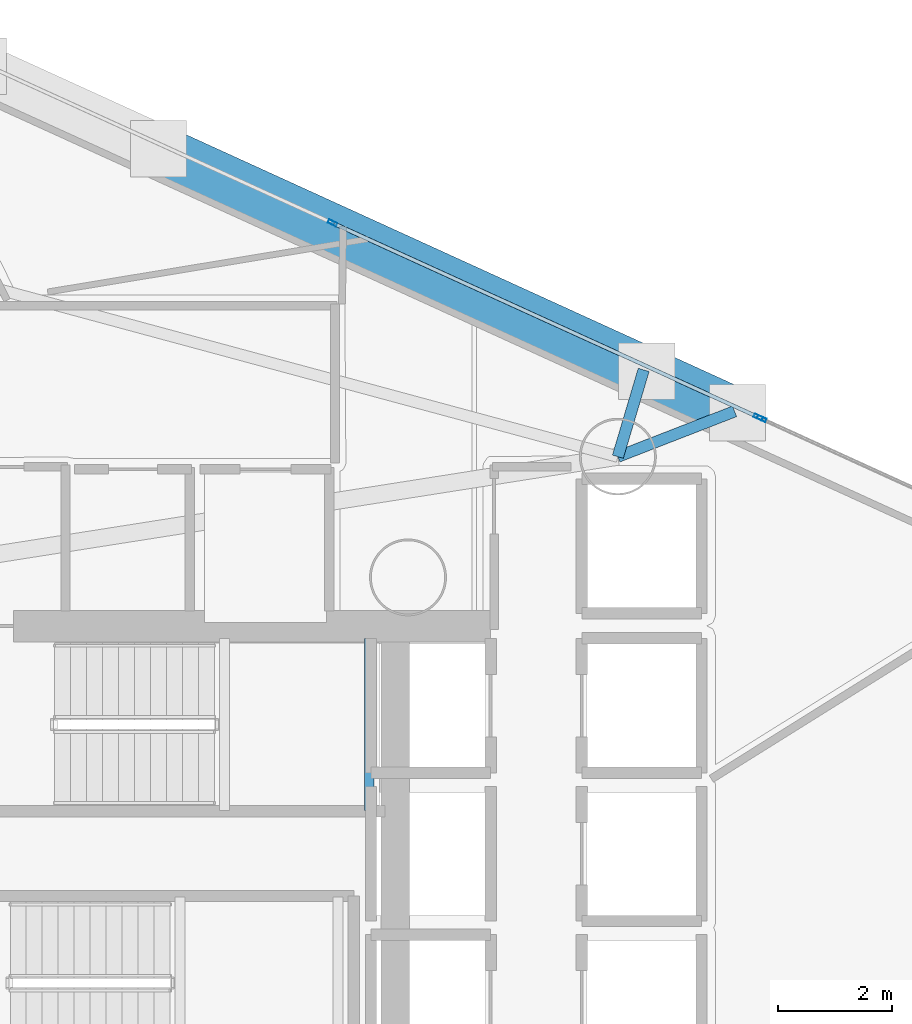
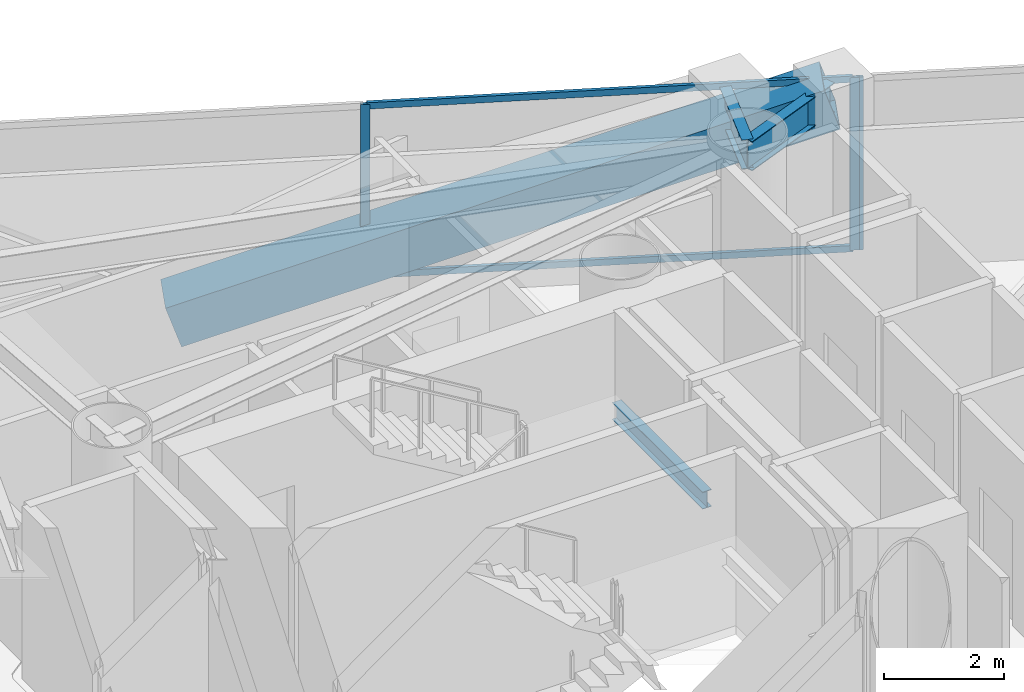
# One storey, part 13 of 23: 6 members, 3 beams, 2 elements without a shape of their own.
"""IFC4 building model written with IfcOpenShell, lengths in metres."""

from ifc_helpers import new_model, si_unit, direction, frame, origin, origin_2d, place, context, subcontext, project, spatial, hollow_rectangle, i_section, extrude, material, layer, layer_set, material_profile, profile_set, type_object, element, aggregate, save


model = new_model("IFC4")

# Units and contexts
model_context = context("Model", 3, precision=1e-05, world=origin(), true_north=direction((0.0, 1.0)))
body_context = subcontext(model_context, "Body", "Model", "MODEL_VIEW")
ifc_project = project(units=[si_unit("LENGTHUNIT", "METRE"), si_unit("AREAUNIT", "SQUARE_METRE"), si_unit("VOLUMEUNIT", "CUBIC_METRE"), si_unit("PLANEANGLEUNIT", "RADIAN"), si_unit("MASSUNIT", "GRAM", prefix="KILO")], contexts=[model_context])

# Site, building, storey
site_placement = place(None, origin())
site = spatial("IfcSite", under=ifc_project, at=site_placement, CompositionType="ELEMENT")
building_placement = place(site_placement, origin())
building = spatial("IfcBuilding", under=site, at=building_placement, Name="Qianvela Tower", CompositionType="ELEMENT")
storey_placement = place(building_placement, frame((0.0, 0.0, 147.60009765625)))
storey = spatial("IfcBuildingStorey", under=building, at=storey_placement, Name="L37", CompositionType="ELEMENT", Elevation=147.60009765625)

# Beams
ifc_material_1 = material(Name="Steel Q355B", Category="steel")
ifc_material_profile_1 = material_profile(ifc_material_1, i_section(OverallWidth=0.175048828125, OverallDepth=0.35009765625, WebThickness=0.007080078125, FlangeThickness=0.010986328125, at=origin_2d()), Name="HN350x175x7x11")
ifc_profile_set_1 = profile_set([ifc_material_profile_1], Name="Steel Q355B")
beam_type_1 = type_object("IfcBeamType", Name="BM-HN350-JOIST", PredefinedType="JOIST", material=ifc_profile_set_1)
beam_1_placement = place(storey_placement, frame((37.719970703125, 29.4599609375, 1.474853515625), z_axis=(0.0, 1.0, 0.0), x_axis=(-1.0, 0.0, 0.0)))
element("IfcBeam", 1, at=beam_1_placement, inside=storey, type_object=beam_type_1, Name="L37 Stair ST-1 Landing Support Beam 1.2", PredefinedType="JOIST", context=body_context, shape_type="SweptSolid", body=[
    extrude(i_section(OverallWidth=0.175048828125, OverallDepth=0.35009765625, WebThickness=0.007080078125, FlangeThickness=0.010986328125, at=origin_2d()), origin(), (0.0, 0.0, 1.0), 3.02001953125),
])
ifc_material_2 = material(Name="Steel Q355B", Category="steel")
ifc_material_profile_2 = material_profile(ifc_material_2, i_section(OverallWidth=0.199951171875, OverallDepth=0.60009765625, WebThickness=0.010986328125, FlangeThickness=0.01708984375, at=origin_2d()), Name="HN600x200x11x17")
ifc_profile_set_2 = profile_set([ifc_material_profile_2], Name="Steel Q355B")
beam_type_2 = type_object("IfcBeamType", Name="BM-HN600-GIRD", PredefinedType="BEAM", material=ifc_profile_set_2)
beam_2_placement = place(storey_placement, frame((42.0830078125, 35.6689453125, 3.218017578125), z_axis=(0.932027610235, 0.362387270416, 0.0), x_axis=(-0.362387270416, 0.932027610235, 0.0)))
element("IfcBeam", 2, at=beam_2_placement, inside=storey, type_object=beam_type_2, Name="L37 Mega-Brace Column Tie Bracket F1-1", PredefinedType="BEAM", context=body_context, shape_type="SweptSolid", body=[
    extrude(i_section(OverallWidth=0.199951171875, OverallDepth=0.60009765625, WebThickness=0.010986328125, FlangeThickness=0.01708984375, at=origin_2d()), origin(), (0.0, 0.0, 1.0), 2.197021484375),
])
beam_3_placement = place(storey_placement, frame((42.0830078125, 35.6689453125, 3.218017578125), z_axis=(0.284951195333, 0.95854202635, 0.0), x_axis=(-0.95854202635, 0.284951195333, 0.0)))
element("IfcBeam", 3, at=beam_3_placement, inside=storey, type_object=beam_type_2, Name="L37 Mega-Brace Column Tie Bracket F1-2", PredefinedType="BEAM", context=body_context, shape_type="SweptSolid", body=[
    extrude(i_section(OverallWidth=0.199951171875, OverallDepth=0.60009765625, WebThickness=0.010986328125, FlangeThickness=0.01708984375, at=origin_2d()), origin(), (0.0, 0.0, 1.0), 1.58935546875),
])

# Curtain wall, members
ifc_material_3 = material(Name="Anodised Architectural Aluminium and Insulated Spandrel Panel", Category="aluminium")
ifc_layer_1 = layer(ifc_material_3, 0.179931640625)
ifc_layer_set_1 = layer_set([ifc_layer_1], Name="Anodised Architectural Aluminium and Insulated Spandrel Panel")
curtain_wall_type_1 = type_object("IfcCurtainWallType", Name="CW-BRACEBAY", PredefinedType="USERDEFINED", material=ifc_layer_set_1)
curtain_wall_1_placement = place(storey_placement, origin())
curtain_wall_1 = element("IfcCurtainWall", 4, at=curtain_wall_1_placement, inside=storey, type_object=curtain_wall_type_1, Name="L37 CW-BRACEBAY Curtain Wall 02B", ObjectType="CURTAIN_WALL_SYSTEM", PredefinedType="USERDEFINED")
ifc_material_4 = material(Name="Anodised Architectural Aluminium 6063-T6", Category="aluminium")
ifc_material_profile_3 = material_profile(ifc_material_4, hollow_rectangle(XDim=0.06494140625, YDim=0.159912109375, WallThickness=0.0048828125, at=origin_2d()), Name="ALU-MULL-65x160")
ifc_profile_set_3 = profile_set([ifc_material_profile_3], Name="Anodised Architectural Aluminium 6063-T6")
member_type_1 = type_object("IfcMemberType", Name="CW-BRACEBAY-MULL", PredefinedType="MULLION", material=ifc_profile_set_3)
member_1_placement = place(storey_placement, frame((44.5478515625, 36.36279296875, 0.0), z_axis=(0.0, 0.0, 1.0), x_axis=(-0.414906738251, -0.909863945078, 0.0)))
member_1 = element("IfcMember", 5, at=member_1_placement, type_object=member_type_1, Name="CW-9 mullion 1", PredefinedType="MULLION", context=body_context, shape_type="SweptSolid", body=[
    extrude(hollow_rectangle(XDim=0.06494140625, YDim=0.159912109375, WallThickness=0.0048828125, at=origin_2d()), origin(), (0.0, 0.0, 1.0), 3.52001953125),
])
member_2_placement = place(storey_placement, frame((37.07421875, 39.77099609375, 0.0), z_axis=(0.0, 0.0, 1.0), x_axis=(-0.414906738251, -0.909863945078, 0.0)))
member_2 = element("IfcMember", 6, at=member_2_placement, type_object=member_type_1, Name="CW-9 mullion 2", PredefinedType="MULLION", context=body_context, shape_type="SweptSolid", body=[
    extrude(hollow_rectangle(XDim=0.06494140625, YDim=0.159912109375, WallThickness=0.0048828125, at=origin_2d()), origin(), (0.0, 0.0, 1.0), 3.52001953125),
])
ifc_material_5 = material(Name="Anodised Architectural Aluminium 6063-T6", Category="aluminium")
ifc_material_profile_4 = material_profile(ifc_material_5, hollow_rectangle(XDim=0.06494140625, YDim=0.1298828125, WallThickness=0.00439453125, at=origin_2d()), Name="ALU-TRAN-65x130")
ifc_profile_set_4 = profile_set([ifc_material_profile_4], Name="Anodised Architectural Aluminium 6063-T6")
member_type_2 = type_object("IfcMemberType", Name="CW-BRACEBAY-TRAN", PredefinedType="USERDEFINED", material=ifc_profile_set_4)
member_3_placement = place(storey_placement, frame((44.518310546875, 36.376220703125, 0.032470703125), z_axis=(-0.909864092568, 0.414906414816, 0.0), x_axis=(-0.414906414816, -0.909864092568, 0.0)))
member_3 = element("IfcMember", 7, at=member_3_placement, type_object=member_type_2, Name="CW-9 transom 1.1", ObjectType="TRANSOM", PredefinedType="USERDEFINED", context=body_context, shape_type="SweptSolid", body=[
    extrude(hollow_rectangle(XDim=0.06494140625, YDim=0.1298828125, WallThickness=0.00439453125, at=origin_2d()), origin(), (0.0, 0.0, 1.0), 8.149169921875),
])
member_4_placement = place(storey_placement, frame((44.518310546875, 36.376220703125, 3.4873046875), z_axis=(-0.909864092568, 0.414906414816, 0.0), x_axis=(-0.414906414816, -0.909864092568, 0.0)))
member_4 = element("IfcMember", 8, at=member_4_placement, type_object=member_type_2, Name="CW-9 transom 1.2", ObjectType="TRANSOM", PredefinedType="USERDEFINED", context=body_context, shape_type="SweptSolid", body=[
    extrude(hollow_rectangle(XDim=0.06494140625, YDim=0.1298828125, WallThickness=0.00439453125, at=origin_2d()), origin(), (0.0, 0.0, 1.0), 8.149169921875),
])
aggregate(curtain_wall_1, [member_1, member_2, member_3, member_4])

# Curtain wall, member
ifc_material_6 = material(Name="Anodised Architectural Aluminium and Low-E Glass", Category="aluminium")
ifc_layer_2 = layer(ifc_material_6, 0.169921875)
ifc_layer_set_2 = layer_set([ifc_layer_2], Name="Anodised Architectural Aluminium and Low-E Glass")
curtain_wall_type_2 = type_object("IfcCurtainWallType", Name="CW-COLIV-Z34", PredefinedType="USERDEFINED", material=ifc_layer_set_2)
curtain_wall_2_placement = place(storey_placement, origin())
curtain_wall_2 = element("IfcCurtainWall", 9, at=curtain_wall_2_placement, inside=storey, type_object=curtain_wall_type_2, Name="L37 CW-COLIV-Z34 Curtain Wall 02A", ObjectType="CURTAIN_WALL_SYSTEM", PredefinedType="USERDEFINED")
ifc_material_7 = material(Name="Anodised Architectural Aluminium 6063-T6", Category="aluminium")
ifc_material_profile_5 = material_profile(ifc_material_7, hollow_rectangle(XDim=0.06494140625, YDim=0.159912109375, WallThickness=0.0048828125, at=origin_2d()), Name="ALU-MULL-65x160")
ifc_profile_set_5 = profile_set([ifc_material_profile_5], Name="Anodised Architectural Aluminium 6063-T6")
member_type_3 = type_object("IfcMemberType", Name="CW-COLIV-Z34-MULL", PredefinedType="MULLION", material=ifc_profile_set_5)
member_5_placement = place(storey_placement, frame((44.607177734375, 36.3359375, 0.0), z_axis=(0.0, 0.0, 1.0), x_axis=(-0.414902458618, -0.90986589662, 0.0)))
member_5 = element("IfcMember", 10, at=member_5_placement, type_object=member_type_3, Name="CW-4 mullion 3", PredefinedType="MULLION", context=body_context, shape_type="SweptSolid", body=[
    extrude(hollow_rectangle(XDim=0.06494140625, YDim=0.159912109375, WallThickness=0.0048828125, at=origin_2d()), origin(), (0.0, 0.0, 1.0), 3.52001953125),
])
aggregate(curtain_wall_2, [member_5])

# Member
ifc_material_8 = material(Name="Steel Q420GJC", Category="steel")
ifc_material_profile_6 = material_profile(ifc_material_8, hollow_rectangle(XDim=0.85009765625, YDim=0.85009765625, WallThickness=0.031982421875, at=origin_2d()), Name="MBOX-850x850x32")
ifc_profile_set_6 = profile_set([ifc_material_profile_6], Name="Steel Q420GJC")
member_type_4 = type_object("IfcMemberType", Name="MBR-MBRACE-850", PredefinedType="BRACE", material=ifc_profile_set_6)
member_6_placement = place(storey_placement, frame((34.073486328125, 41.05126953125, -0.482177734375), z_axis=(0.862803048398, -0.393449416521, 0.317440476805), x_axis=(0.414909271055, 0.909862790091, 0.0)))
element("IfcMember", 11, at=member_6_placement, inside=storey, type_object=member_type_4, Name="L37 Tier 6 Exterior Mega-Brace F1A", PredefinedType="BRACE", context=body_context, shape_type="SweptSolid", body=[
    extrude(hollow_rectangle(XDim=0.85009765625, YDim=0.85009765625, WallThickness=0.031982421875, at=origin_2d()), origin(), (0.0, 0.0, 1.0), 11.65625),
])

save(model, "model.ifc")
